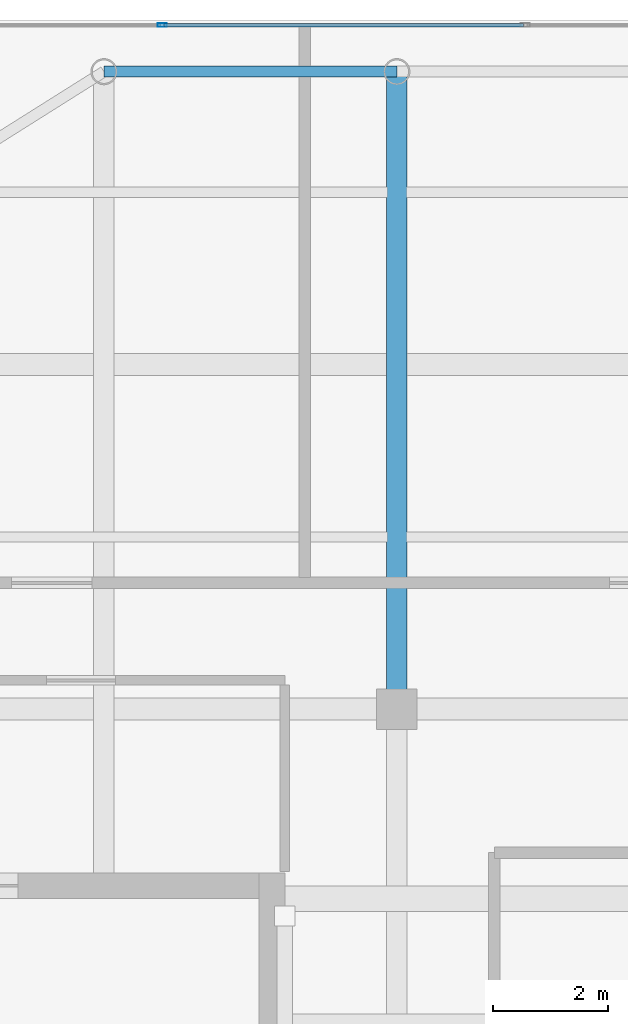
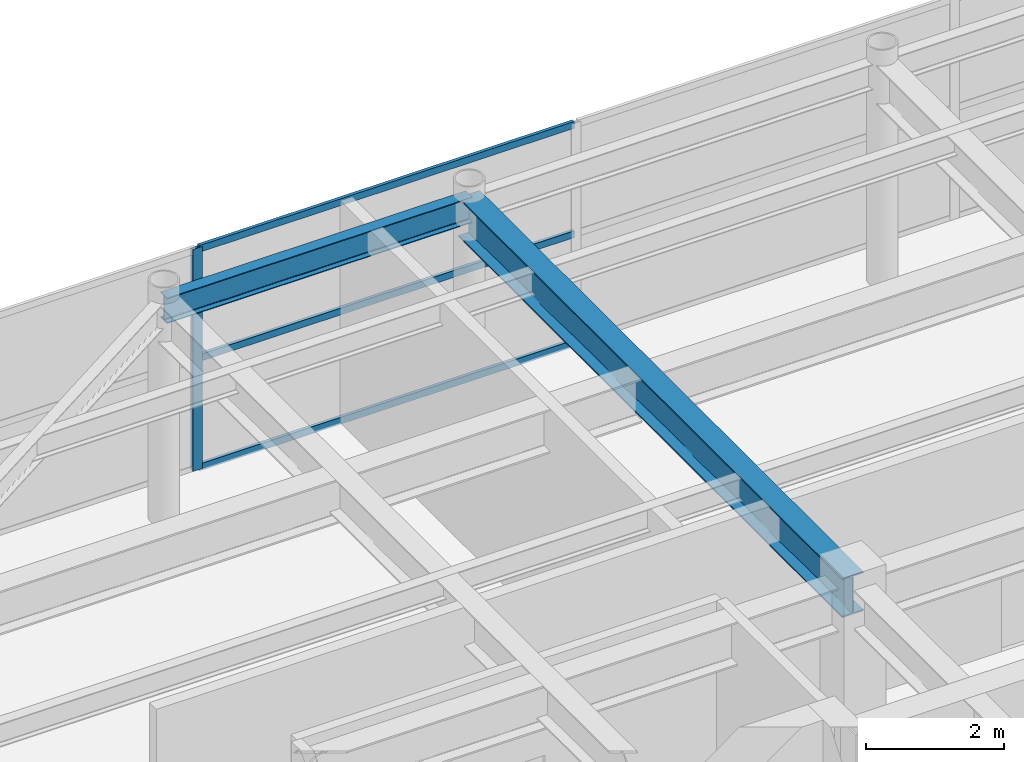
# One storey, part 23 of 32: 4 members, 2 beams, 1 element without a shape of its own.
"""IFC4 building model written with IfcOpenShell, lengths in metres."""

from ifc_helpers import new_model, si_unit, direction, frame, origin, origin_2d, place, context, subcontext, project, spatial, hollow_rectangle, i_section, extrude, source, transform, mapped, material, layer, layer_set, material_profile, profile_set, type_object, element, aggregate, save


model = new_model("IFC4")

# Units and contexts
model_context = context("Model", 3, precision=1e-05, world=origin(), true_north=direction((0.0, 1.0)))
body_context = subcontext(model_context, "Body", "Model", "MODEL_VIEW")
ifc_project = project(units=[si_unit("LENGTHUNIT", "METRE"), si_unit("AREAUNIT", "SQUARE_METRE"), si_unit("VOLUMEUNIT", "CUBIC_METRE"), si_unit("PLANEANGLEUNIT", "RADIAN"), si_unit("MASSUNIT", "GRAM", prefix="KILO")], contexts=[model_context])

# Site, building, storey
site_placement = place(None, origin())
site = spatial("IfcSite", under=ifc_project, at=site_placement, CompositionType="ELEMENT")
building_placement = place(site_placement, origin())
building = spatial("IfcBuilding", under=site, at=building_placement, Name="Khoralis Quay Care Tower", CompositionType="ELEMENT")
storey_placement = place(building_placement, frame((0.0, 0.0, 310.5)))
storey = spatial("IfcBuildingStorey", under=building, at=storey_placement, Name="L81", CompositionType="ELEMENT", Elevation=310.5)

# Beams
ifc_material_1 = material(Name="Steel S355", Category="steel")
ifc_material_profile_1 = material_profile(ifc_material_1, i_section(OverallWidth=0.18994140625, OverallDepth=0.449951171875, WebThickness=0.009521484375, FlangeThickness=0.0146484375, FilletRadius=0.02099609375, at=origin_2d()), Name="Steel S355")
ifc_profile_set_1 = profile_set([ifc_material_profile_1], Name="Steel S355")
beam_type_1 = type_object("IfcBeamType", Name="BM-IPE450", PredefinedType="SPANDREL", material=ifc_profile_set_1)
shared_shape_1 = source(origin(), body_context, "Body", "SweptSolid", [
    extrude(i_section(OverallWidth=0.18994140625, OverallDepth=0.449951171875, WebThickness=0.009521484375, FlangeThickness=0.0146484375, FilletRadius=0.02099609375, at=origin_2d()), origin(), (0.0, 0.0, 1.0), 5.10009765625),
])
beam_1_placement = place(storey_placement, frame((12.0, 41.10009765625, 3.695068359375), z_axis=(1.0, 0.0, 0.0), x_axis=(0.0, 1.0, 0.0)))
element("IfcBeam", 1, at=beam_1_placement, inside=storey, type_object=beam_type_1, Name="BM-TSP-L81-05", PredefinedType="SPANDREL", context=body_context, shape_type="MappedRepresentation", body=[
    mapped(shared_shape_1, transform((0.0, 0.0, 0.0), scale=1.0)),
])
ifc_material_profile_2 = material_profile(ifc_material_1, i_section(OverallWidth=0.35498046875, OverallDepth=0.695068359375, WebThickness=0.015380859375, FlangeThickness=0.02490234375, FilletRadius=0.02001953125, at=origin_2d()), Name="Steel S355")
ifc_profile_set_2 = profile_set([ifc_material_profile_2], Name="Steel S355")
beam_type_2 = type_object("IfcBeamType", Name="BM-W690X217", PredefinedType="BEAM", material=ifc_profile_set_2)
shared_shape_2 = source(origin(), body_context, "Body", "SweptSolid", [
    extrude(i_section(OverallWidth=0.35498046875, OverallDepth=0.695068359375, WebThickness=0.015380859375, FlangeThickness=0.02490234375, FilletRadius=0.02001953125, at=origin_2d()), origin(), (0.0, 0.0, 1.0), 11.10009765625),
])
beam_2_placement = place(storey_placement, frame((17.10009765625, 30.0, 3.572509765625), z_axis=(0.0, 1.0, 0.0), x_axis=(-1.0, 0.0, 0.0)))
element("IfcBeam", 2, at=beam_2_placement, inside=storey, type_object=beam_type_2, Name="BM-TGYN-L81-171", PredefinedType="BEAM", context=body_context, shape_type="MappedRepresentation", body=[
    mapped(shared_shape_2, transform((0.0, 0.0, 0.0), scale=1.0)),
])

# Curtain wall, members
ifc_material_2 = material(Name="Pale anodised aluminium", Category="aluminium")
ifc_layer = layer(ifc_material_2, 0.199951171875)
ifc_layer_set = layer_set([ifc_layer], Name="Pale anodised aluminium")
curtain_wall_type = type_object("IfcCurtainWallType", Name="CW-SYS-LANTERN", PredefinedType="NOTDEFINED", material=ifc_layer_set)
curtain_wall_placement = place(storey_placement, origin())
curtain_wall = element("IfcCurtainWall", 3, at=curtain_wall_placement, inside=storey, type_object=curtain_wall_type, Name="L81 Unitised Curtain Wall CW-LN-L81-11", PredefinedType="NOTDEFINED")
ifc_material_profile_3 = material_profile(ifc_material_2, hollow_rectangle(XDim=0.054931640625, YDim=0.1201171875, WallThickness=0.00390625, at=origin_2d()), Name="Pale anodised aluminium")
ifc_profile_set_3 = profile_set([ifc_material_profile_3], Name="Pale anodised aluminium")
member_type_1 = type_object("IfcMemberType", Name="CW-TRN-120", PredefinedType="USERDEFINED", material=ifc_profile_set_3)
shared_shape_3 = source(origin(), body_context, "Body", "SweptSolid", [
    extrude(hollow_rectangle(XDim=0.054931640625, YDim=0.1201171875, WallThickness=0.00390625, at=origin_2d()), origin(), (0.0, 0.0, 1.0), 6.26416015625),
])
member_1_placement = place(storey_placement, frame((19.30810546875, 41.909912109375, 0.030029296875), z_axis=(-1.0, 0.0, 0.0), x_axis=(0.0, -1.0, 0.0)))
member_1 = element("IfcMember", 4, at=member_1_placement, type_object=member_type_1, Name="CW5 transom 4.1", ObjectType="TRANSOM", PredefinedType="USERDEFINED", context=body_context, shape_type="MappedRepresentation", body=[
    mapped(shared_shape_3, transform((0.0, 0.0, 0.0), scale=1.0)),
])
member_2_placement = place(storey_placement, frame((19.30810546875, 41.909912109375, 1.9599609375), z_axis=(-1.0, 0.0, 0.0), x_axis=(0.0, -1.0, 0.0)))
member_2 = element("IfcMember", 5, at=member_2_placement, type_object=member_type_1, Name="CW5 transom 4.2", ObjectType="TRANSOM", PredefinedType="USERDEFINED", context=body_context, shape_type="MappedRepresentation", body=[
    mapped(shared_shape_3, transform((0.0, 0.0, 0.0), scale=1.0)),
])
member_3_placement = place(storey_placement, frame((19.30810546875, 41.909912109375, 3.889892578125), z_axis=(-1.0, 0.0, 0.0), x_axis=(0.0, -1.0, 0.0)))
member_3 = element("IfcMember", 6, at=member_3_placement, type_object=member_type_1, Name="CW5 transom 4.3", ObjectType="TRANSOM", PredefinedType="USERDEFINED", context=body_context, shape_type="MappedRepresentation", body=[
    mapped(shared_shape_3, transform((0.0, 0.0, 0.0), scale=1.0)),
])
ifc_material_profile_4 = material_profile(ifc_material_2, hollow_rectangle(XDim=0.06005859375, YDim=0.159912109375, WallThickness=0.00390625, at=origin_2d()), Name="Pale anodised aluminium")
ifc_profile_set_4 = profile_set([ifc_material_profile_4], Name="Pale anodised aluminium")
member_type_2 = type_object("IfcMemberType", Name="CW-MUL-160", PredefinedType="MULLION", material=ifc_profile_set_4)
shared_shape_4 = source(origin(), body_context, "Body", "SweptSolid", [
    extrude(hollow_rectangle(XDim=0.06005859375, YDim=0.159912109375, WallThickness=0.00390625, at=origin_2d()), origin(), (0.0, 0.0, 1.0), 3.919921875),
])
member_4_placement = place(storey_placement, frame((13.013916015625, 41.909912109375, 0.0), z_axis=(0.0, 0.0, 1.0), x_axis=(0.0, -1.0, 0.0)))
member_4 = element("IfcMember", 7, at=member_4_placement, type_object=member_type_2, Name="CW5 mullion 5", PredefinedType="MULLION", context=body_context, shape_type="MappedRepresentation", body=[
    mapped(shared_shape_4, transform((0.0, 0.0, 0.0), scale=1.0)),
])
aggregate(curtain_wall, [member_4, member_1, member_2, member_3])

save(model, "model.ifc")
